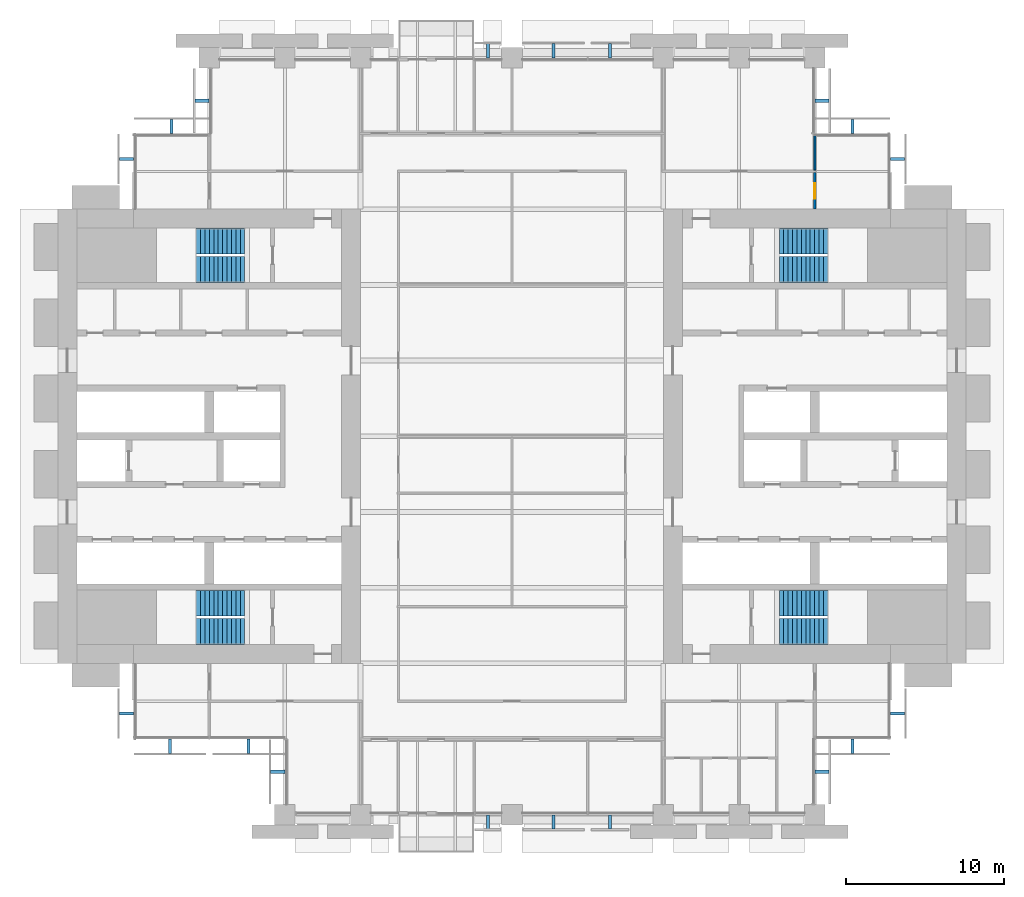
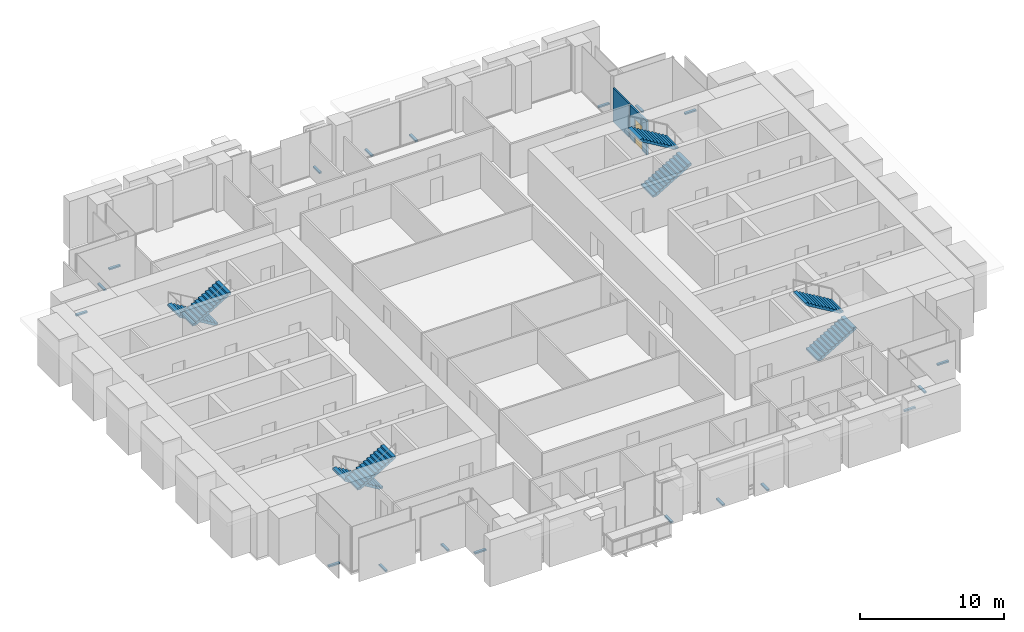
# One storey, part 13 of 15: 19 discrete accessories, 8 stair flights, 2 walls, 1 door, 1 opening, 4 elements without a shape of their own.
"""IFC4 building model written with IfcOpenShell, lengths in metres."""

from ifc_helpers import new_model, si_unit, direction, frame, frame_2d, origin, origin_2d, place, context, subcontext, project, spatial, polyline, rectangle, outline, extrude, material, layer, layer_set, type_object, element, fill, aggregate, save


model = new_model("IFC4")

# Units and contexts
model_context = context("Model", 3, precision=1e-05, world=origin(), true_north=direction((0.0, 1.0)))
body_context = subcontext(model_context, "Body", "Model", "MODEL_VIEW")
ifc_project = project(units=[si_unit("LENGTHUNIT", "METRE"), si_unit("AREAUNIT", "SQUARE_METRE"), si_unit("VOLUMEUNIT", "CUBIC_METRE"), si_unit("PLANEANGLEUNIT", "RADIAN"), si_unit("MASSUNIT", "GRAM", prefix="KILO")], contexts=[model_context])

# Site, building, storey
site_placement = place(None, origin())
site = spatial("IfcSite", under=ifc_project, at=site_placement, CompositionType="ELEMENT")
building_placement = place(site_placement, origin())
building = spatial("IfcBuilding", under=site, at=building_placement, Name="Baori Bourse Tower", CompositionType="ELEMENT")
storey_placement = place(building_placement, frame((0.0, 0.0, 47.0)))
storey = spatial("IfcBuildingStorey", under=building, at=storey_placement, Name="L09", CompositionType="ELEMENT", Elevation=47.0)

# Wall, opening, door
ifc_material_1 = material(Name="Gypsum board partition")
ifc_layer_1 = layer(ifc_material_1, 0.14990234375)
ifc_layer_set_1 = layer_set([ifc_layer_1], Name="Corridor partition 150")
wall_type_1 = type_object("IfcWallType", Name="Corridor partition 150", PredefinedType="PARTITIONING", material=ifc_layer_set_1)
wall_1_placement = place(storey_placement, frame((48.0, 38.39990234375, 0.0), z_axis=(0.0, 0.0, 1.0), x_axis=(0.0, 1.0, 0.0)))
wall_1 = element("IfcWall", 1, at=wall_1_placement, inside=storey, type_object=wall_type_1, Name="Partition", PredefinedType="PARTITIONING", context=body_context, shape_type="SweptSolid", body=[
    extrude(rectangle(XDim=2.3251953125, YDim=0.14990234375, at=frame_2d((1.16259765625, 0.0))), origin(), (0.0, 0.0, 1.0), 2.86962890625),
])
opening_placement = place(wall_1_placement, frame((0.66259765625, 0.0, 0.0)))
opening = element("IfcOpeningElement", 2, at=opening_placement, cuts=wall_1, Name="Opening L09-D28", PredefinedType="OPENING", context=body_context, shape_type="SweptSolid", body=[
    extrude(rectangle(XDim=1.0, YDim=2.10009765625, at=frame_2d((0.5, 1.050048828125))), frame((0.0, 0.0849609375, 0.0), z_axis=(0.0, -1.0, 0.0), x_axis=(1.0, 0.0, 0.0)), (0.0, 0.0, 1.0), 0.169921875),
])
ifc_material_2 = material(Name="Timber door leaf", Category="wood")
door_type = type_object("IfcDoorType", Name="Door 1000 x 2100", OperationType="SINGLE_SWING_LEFT", PredefinedType="DOOR", material=ifc_material_2)
door_placement = place(opening_placement, origin())
door = element("IfcDoor", 3, at=door_placement, inside=storey, type_object=door_type, Name="Door", OperationType="SINGLE_SWING_LEFT", OverallHeight=2.10009765625, OverallWidth=1.0, PredefinedType="DOOR", context=body_context, shape_type="SweptSolid", body=[
    extrude(rectangle(XDim=1.0, YDim=2.10009765625, at=frame_2d((0.5, 1.050048828125))), frame((0.0, 0.02490234375, 0.0), z_axis=(0.0, -1.0, 0.0), x_axis=(1.0, 0.0, 0.0)), (0.0, 0.0, 1.0), 0.050048828125),
])
fill(opening, door)

# Wall
ifc_material_3 = material(Name="Gypsum board partition")
ifc_layer_2 = layer(ifc_material_3, 0.125)
ifc_layer_set_2 = layer_set([ifc_layer_2], Name="Partition 125")
wall_type_2 = type_object("IfcWallType", Name="Partition 125", PredefinedType="PARTITIONING", material=ifc_layer_set_2)
wall_2_placement = place(storey_placement, frame((48.0, 40.875, 0.0), z_axis=(0.0, 0.0, 1.0), x_axis=(0.0, 1.0, 0.0)))
element("IfcWall", 4, at=wall_2_placement, inside=storey, type_object=wall_type_2, Name="Partition", PredefinedType="PARTITIONING", context=body_context, shape_type="SweptSolid", body=[
    extrude(rectangle(XDim=2.22509765625, YDim=0.125, at=frame_2d((1.112548828125, 0.0))), origin(), (0.0, 0.0, 1.0), 2.86962890625),
])

# Stair, stair flights
ifc_material_4 = material(Name="Concrete f'c 50 MPa", Category="concrete")
stair_type = type_object("IfcStairType", Name="Core stair", PredefinedType="HALF_TURN_STAIR", material=ifc_material_4)
stair_1_placement = place(storey_placement, origin())
stair_1 = element("IfcStair", 5, at=stair_1_placement, inside=storey, type_object=stair_type, Name="L09 Stair WA", PredefinedType="HALF_TURN_STAIR")
ifc_material_5 = material(Name="Concrete f'c 50 MPa", Category="concrete")
stair_flight_type = type_object("IfcStairFlightType", Name="Core stair flight", PredefinedType="STRAIGHT", material=ifc_material_5)
stair_flight_1_placement = place(storey_placement, frame((11.85009765625, 13.425048828125, 0.0), z_axis=(0.0, 0.0, 1.0), x_axis=(-1.0, 0.0, 0.0)))
stair_flight_1 = element("IfcStairFlight", 6, at=stair_flight_1_placement, type_object=stair_flight_type, Name="ST1 flight 1", NumberOfRisers=12, NumberOfTreads=11, PredefinedType="STRAIGHT", RiserHeight=0.166666667, TreadLength=0.28, context=body_context, shape_type="SweptSolid", body=[
    extrude(outline(polyline([(0.0, 0.0), (0.0, 0.166748046875), (0.280029296875, 0.166748046875), (0.280029296875, 0.333251953125), (0.56005859375, 0.333251953125), (0.56005859375, 0.5), (0.840087890625, 0.5), (0.840087890625, 0.666748046875), (1.1201171875, 0.666748046875), (1.1201171875, 0.833251953125), (1.39990234375, 0.833251953125), (1.39990234375, 1.0), (1.679931640625, 1.0), (1.679931640625, 1.166748046875), (1.9599609375, 1.166748046875), (1.9599609375, 1.333251953125), (2.239990234375, 1.333251953125), (2.239990234375, 1.5), (2.52001953125, 1.5), (2.52001953125, 1.666748046875), (2.800048828125, 1.666748046875), (2.800048828125, 1.833251953125), (3.080078125, 1.833251953125), (3.080078125, 2.0), (3.080078125, 1.658935546875), (0.29296875, 0.0), (0.0, 0.0)])), frame((0.0, 0.824951171875, 0.0), z_axis=(0.0, -1.0, 0.0), x_axis=(1.0, 0.0, 0.0)), (0.0, 0.0, 1.0), 1.64990234375),
])
stair_flight_2_placement = place(storey_placement, frame((8.77001953125, 11.625, 2.0), z_axis=(0.0, 0.0, 1.0), x_axis=(1.0, 0.0, 0.0)))
stair_flight_2 = element("IfcStairFlight", 7, at=stair_flight_2_placement, type_object=stair_flight_type, Name="ST1 flight 2", NumberOfRisers=12, NumberOfTreads=11, PredefinedType="STRAIGHT", RiserHeight=0.166666667, TreadLength=0.28, context=body_context, shape_type="SweptSolid", body=[
    extrude(outline(polyline([(0.0, 0.0), (0.0, 0.166748046875), (0.280029296875, 0.166748046875), (0.280029296875, 0.333251953125), (0.56005859375, 0.333251953125), (0.56005859375, 0.5), (0.840087890625, 0.5), (0.840087890625, 0.666748046875), (1.1201171875, 0.666748046875), (1.1201171875, 0.833251953125), (1.39990234375, 0.833251953125), (1.39990234375, 1.0), (1.679931640625, 1.0), (1.679931640625, 1.166748046875), (1.9599609375, 1.166748046875), (1.9599609375, 1.333251953125), (2.239990234375, 1.333251953125), (2.239990234375, 1.5), (2.52001953125, 1.5), (2.52001953125, 1.666748046875), (2.800048828125, 1.666748046875), (2.800048828125, 1.833251953125), (3.080078125, 1.833251953125), (3.080078125, 2.0), (3.080078125, 1.658935546875), (0.29296875, 0.0), (0.0, 0.0)])), frame((0.0, 0.824951171875, 0.0), z_axis=(0.0, -1.0, 0.0), x_axis=(1.0, 0.0, 0.0)), (0.0, 0.0, 1.0), 1.64990234375),
])
aggregate(stair_1, [stair_flight_1, stair_flight_2])

stair_2_placement = place(storey_placement, origin())
stair_2 = element("IfcStair", 8, at=stair_2_placement, inside=storey, type_object=stair_type, Name="L09 Stair WB", PredefinedType="HALF_TURN_STAIR")
stair_flight_3_placement = place(storey_placement, frame((11.85009765625, 36.375, 0.0), z_axis=(0.0, 0.0, 1.0), x_axis=(-1.0, 0.0, 0.0)))
stair_flight_3 = element("IfcStairFlight", 9, at=stair_flight_3_placement, type_object=stair_flight_type, Name="ST2 flight 1", NumberOfRisers=12, NumberOfTreads=11, PredefinedType="STRAIGHT", RiserHeight=0.166666667, TreadLength=0.28, context=body_context, shape_type="SweptSolid", body=[
    extrude(outline(polyline([(0.0, 0.0), (0.0, 0.166748046875), (0.280029296875, 0.166748046875), (0.280029296875, 0.333251953125), (0.56005859375, 0.333251953125), (0.56005859375, 0.5), (0.840087890625, 0.5), (0.840087890625, 0.666748046875), (1.1201171875, 0.666748046875), (1.1201171875, 0.833251953125), (1.39990234375, 0.833251953125), (1.39990234375, 1.0), (1.679931640625, 1.0), (1.679931640625, 1.166748046875), (1.9599609375, 1.166748046875), (1.9599609375, 1.333251953125), (2.239990234375, 1.333251953125), (2.239990234375, 1.5), (2.52001953125, 1.5), (2.52001953125, 1.666748046875), (2.800048828125, 1.666748046875), (2.800048828125, 1.833251953125), (3.080078125, 1.833251953125), (3.080078125, 2.0), (3.080078125, 1.658935546875), (0.29296875, 0.0), (0.0, 0.0)])), frame((0.0, 0.824951171875, 0.0), z_axis=(0.0, -1.0, 0.0), x_axis=(1.0, 0.0, 0.0)), (0.0, 0.0, 1.0), 1.64990234375),
])
stair_flight_4_placement = place(storey_placement, frame((8.77001953125, 34.574951171875, 2.0), z_axis=(0.0, 0.0, 1.0), x_axis=(1.0, 0.0, 0.0)))
stair_flight_4 = element("IfcStairFlight", 10, at=stair_flight_4_placement, type_object=stair_flight_type, Name="ST2 flight 2", NumberOfRisers=12, NumberOfTreads=11, PredefinedType="STRAIGHT", RiserHeight=0.166666667, TreadLength=0.28, context=body_context, shape_type="SweptSolid", body=[
    extrude(outline(polyline([(0.0, 0.0), (0.0, 0.166748046875), (0.280029296875, 0.166748046875), (0.280029296875, 0.333251953125), (0.56005859375, 0.333251953125), (0.56005859375, 0.5), (0.840087890625, 0.5), (0.840087890625, 0.666748046875), (1.1201171875, 0.666748046875), (1.1201171875, 0.833251953125), (1.39990234375, 0.833251953125), (1.39990234375, 1.0), (1.679931640625, 1.0), (1.679931640625, 1.166748046875), (1.9599609375, 1.166748046875), (1.9599609375, 1.333251953125), (2.239990234375, 1.333251953125), (2.239990234375, 1.5), (2.52001953125, 1.5), (2.52001953125, 1.666748046875), (2.800048828125, 1.666748046875), (2.800048828125, 1.833251953125), (3.080078125, 1.833251953125), (3.080078125, 2.0), (3.080078125, 1.658935546875), (0.29296875, 0.0), (0.0, 0.0)])), frame((0.0, 0.824951171875, 0.0), z_axis=(0.0, -1.0, 0.0), x_axis=(1.0, 0.0, 0.0)), (0.0, 0.0, 1.0), 1.64990234375),
])
aggregate(stair_2, [stair_flight_3, stair_flight_4])

stair_3_placement = place(storey_placement, origin())
stair_3 = element("IfcStair", 11, at=stair_3_placement, inside=storey, type_object=stair_type, Name="L09 Stair EA", PredefinedType="HALF_TURN_STAIR")
stair_flight_5_placement = place(storey_placement, frame((45.75, 11.625, 0.0), z_axis=(0.0, 0.0, 1.0), x_axis=(1.0, 0.0, 0.0)))
stair_flight_5 = element("IfcStairFlight", 12, at=stair_flight_5_placement, type_object=stair_flight_type, Name="ST3 flight 1", NumberOfRisers=12, NumberOfTreads=11, PredefinedType="STRAIGHT", RiserHeight=0.166666667, TreadLength=0.28, context=body_context, shape_type="SweptSolid", body=[
    extrude(outline(polyline([(0.0, 0.0), (0.0, 0.166748046875), (0.280029296875, 0.166748046875), (0.280029296875, 0.333251953125), (0.56005859375, 0.333251953125), (0.56005859375, 0.5), (0.840087890625, 0.5), (0.840087890625, 0.666748046875), (1.1201171875, 0.666748046875), (1.1201171875, 0.833251953125), (1.39990234375, 0.833251953125), (1.39990234375, 1.0), (1.679931640625, 1.0), (1.679931640625, 1.166748046875), (1.9599609375, 1.166748046875), (1.9599609375, 1.333251953125), (2.239990234375, 1.333251953125), (2.239990234375, 1.5), (2.52001953125, 1.5), (2.52001953125, 1.666748046875), (2.800048828125, 1.666748046875), (2.800048828125, 1.833251953125), (3.080078125, 1.833251953125), (3.080078125, 2.0), (3.080078125, 1.658935546875), (0.29296875, 0.0), (0.0, 0.0)])), frame((0.0, 0.824951171875, 0.0), z_axis=(0.0, -1.0, 0.0), x_axis=(1.0, 0.0, 0.0)), (0.0, 0.0, 1.0), 1.64990234375),
])
stair_flight_6_placement = place(storey_placement, frame((48.830078125, 13.425048828125, 2.0), z_axis=(0.0, 0.0, 1.0), x_axis=(-1.0, 0.0, 0.0)))
stair_flight_6 = element("IfcStairFlight", 13, at=stair_flight_6_placement, type_object=stair_flight_type, Name="ST3 flight 2", NumberOfRisers=12, NumberOfTreads=11, PredefinedType="STRAIGHT", RiserHeight=0.166666667, TreadLength=0.28, context=body_context, shape_type="SweptSolid", body=[
    extrude(outline(polyline([(0.0, 0.0), (0.0, 0.166748046875), (0.280029296875, 0.166748046875), (0.280029296875, 0.333251953125), (0.56005859375, 0.333251953125), (0.56005859375, 0.5), (0.840087890625, 0.5), (0.840087890625, 0.666748046875), (1.1201171875, 0.666748046875), (1.1201171875, 0.833251953125), (1.39990234375, 0.833251953125), (1.39990234375, 1.0), (1.679931640625, 1.0), (1.679931640625, 1.166748046875), (1.9599609375, 1.166748046875), (1.9599609375, 1.333251953125), (2.239990234375, 1.333251953125), (2.239990234375, 1.5), (2.52001953125, 1.5), (2.52001953125, 1.666748046875), (2.800048828125, 1.666748046875), (2.800048828125, 1.833251953125), (3.080078125, 1.833251953125), (3.080078125, 2.0), (3.080078125, 1.658935546875), (0.29296875, 0.0), (0.0, 0.0)])), frame((0.0, 0.824951171875, 0.0), z_axis=(0.0, -1.0, 0.0), x_axis=(1.0, 0.0, 0.0)), (0.0, 0.0, 1.0), 1.64990234375),
])
aggregate(stair_3, [stair_flight_5, stair_flight_6])

stair_4_placement = place(storey_placement, origin())
stair_4 = element("IfcStair", 14, at=stair_4_placement, inside=storey, type_object=stair_type, Name="L09 Stair EB", PredefinedType="HALF_TURN_STAIR")
stair_flight_7_placement = place(storey_placement, frame((45.75, 34.574951171875, 0.0), z_axis=(0.0, 0.0, 1.0), x_axis=(1.0, 0.0, 0.0)))
stair_flight_7 = element("IfcStairFlight", 15, at=stair_flight_7_placement, type_object=stair_flight_type, Name="ST4 flight 1", NumberOfRisers=12, NumberOfTreads=11, PredefinedType="STRAIGHT", RiserHeight=0.166666667, TreadLength=0.28, context=body_context, shape_type="SweptSolid", body=[
    extrude(outline(polyline([(0.0, 0.0), (0.0, 0.166748046875), (0.280029296875, 0.166748046875), (0.280029296875, 0.333251953125), (0.56005859375, 0.333251953125), (0.56005859375, 0.5), (0.840087890625, 0.5), (0.840087890625, 0.666748046875), (1.1201171875, 0.666748046875), (1.1201171875, 0.833251953125), (1.39990234375, 0.833251953125), (1.39990234375, 1.0), (1.679931640625, 1.0), (1.679931640625, 1.166748046875), (1.9599609375, 1.166748046875), (1.9599609375, 1.333251953125), (2.239990234375, 1.333251953125), (2.239990234375, 1.5), (2.52001953125, 1.5), (2.52001953125, 1.666748046875), (2.800048828125, 1.666748046875), (2.800048828125, 1.833251953125), (3.080078125, 1.833251953125), (3.080078125, 2.0), (3.080078125, 1.658935546875), (0.29296875, 0.0), (0.0, 0.0)])), frame((0.0, 0.824951171875, 0.0), z_axis=(0.0, -1.0, 0.0), x_axis=(1.0, 0.0, 0.0)), (0.0, 0.0, 1.0), 1.64990234375),
])
stair_flight_8_placement = place(storey_placement, frame((48.830078125, 36.375, 2.0), z_axis=(0.0, 0.0, 1.0), x_axis=(-1.0, 0.0, 0.0)))
stair_flight_8 = element("IfcStairFlight", 16, at=stair_flight_8_placement, type_object=stair_flight_type, Name="ST4 flight 2", NumberOfRisers=12, NumberOfTreads=11, PredefinedType="STRAIGHT", RiserHeight=0.166666667, TreadLength=0.28, context=body_context, shape_type="SweptSolid", body=[
    extrude(outline(polyline([(0.0, 0.0), (0.0, 0.166748046875), (0.280029296875, 0.166748046875), (0.280029296875, 0.333251953125), (0.56005859375, 0.333251953125), (0.56005859375, 0.5), (0.840087890625, 0.5), (0.840087890625, 0.666748046875), (1.1201171875, 0.666748046875), (1.1201171875, 0.833251953125), (1.39990234375, 0.833251953125), (1.39990234375, 1.0), (1.679931640625, 1.0), (1.679931640625, 1.166748046875), (1.9599609375, 1.166748046875), (1.9599609375, 1.333251953125), (2.239990234375, 1.333251953125), (2.239990234375, 1.5), (2.52001953125, 1.5), (2.52001953125, 1.666748046875), (2.800048828125, 1.666748046875), (2.800048828125, 1.833251953125), (3.080078125, 1.833251953125), (3.080078125, 2.0), (3.080078125, 1.658935546875), (0.29296875, 0.0), (0.0, 0.0)])), frame((0.0, 0.824951171875, 0.0), z_axis=(0.0, -1.0, 0.0), x_axis=(1.0, 0.0, 0.0)), (0.0, 0.0, 1.0), 1.64990234375),
])
aggregate(stair_4, [stair_flight_7, stair_flight_8])

# Discrete accessories
ifc_material_6 = material(Name="Pale anodised aluminium", Category="aluminium")
discrete_accessory_type = type_object("IfcDiscreteAccessoryType", Name="OS2 Outer skin bracket", PredefinedType="BRACKET", material=ifc_material_6)
for number, where, z_axis, x_axis, name in (
    (17, (53.25, 41.574951171875, -0.14404296875), (0.0, 0.0, 1.0), (0.0, 1.0, 0.0), "Outer skin bracket L09 1"),
    (18, (50.39990234375, 43.64990234375, -0.14404296875), (0.0, 0.0, 1.0), (-1.0, 0.0, 0.0), "Outer skin bracket L09 2"),
    (19, (48.449951171875, 45.27490234375, -0.14404296875), (0.0, 0.0, 1.0), (0.0, 1.0, 0.0), "Outer skin bracket L09 3"),
    (20, (35.012451171875, 48.449951171875, -0.14404296875), (0.0, 0.0, 1.0), (-1.0, 0.0, 0.0), "Outer skin bracket L09 4"),
    (21, (31.4375, 48.449951171875, -0.14404296875), (0.0, 0.0, 1.0), (-1.0, 0.0, 0.0), "Outer skin bracket L09 5"),
    (22, (27.27490234375, 48.449951171875, -0.14404296875), (0.0, 0.0, 1.0), (-1.0, 0.0, 0.0), "Outer skin bracket L09 6"),
    (23, (9.14990234375, 45.27490234375, -0.14404296875), (0.0, 0.0, 1.0), (0.0, -1.0, 0.0), "Outer skin bracket L09 7"),
    (24, (7.199951171875, 43.64990234375, -0.14404296875), (0.0, 0.0, 1.0), (-1.0, 0.0, 0.0), "Outer skin bracket L09 8"),
    (25, (4.35009765625, 41.574951171875, -0.14404296875), (0.0, 0.0, 1.0), (0.0, -1.0, 0.0), "Outer skin bracket L09 9"),
    (26, (4.35009765625, 6.425048828125, -0.14404296875), (0.0, 0.0, 1.0), (0.0, -1.0, 0.0), "Outer skin bracket L09 10"),
    (27, (7.112548828125, 4.35009765625, -0.14404296875), (0.0, 0.0, 1.0), (1.0, 0.0, 0.0), "Outer skin bracket L09 11"),
    (28, (12.08740234375, 4.35009765625, -0.14404296875), (0.0, 0.0, 1.0), (1.0, 0.0, 0.0), "Outer skin bracket L09 12"),
    (29, (13.949951171875, 2.72509765625, -0.14404296875), (0.0, 0.0, 1.0), (0.0, -1.0, 0.0), "Outer skin bracket L09 13"),
    (30, (27.27490234375, -0.449951171875, -0.14404296875), (0.0, 0.0, 1.0), (1.0, 0.0, 0.0), "Outer skin bracket L09 14"),
    (31, (31.4375, -0.449951171875, -0.14404296875), (0.0, 0.0, 1.0), (1.0, 0.0, 0.0), "Outer skin bracket L09 15"),
    (32, (35.012451171875, -0.449951171875, -0.14404296875), (0.0, 0.0, 1.0), (1.0, 0.0, 0.0), "Outer skin bracket L09 16"),
    (33, (48.449951171875, 2.72509765625, -0.14404296875), (0.0, 0.0, 1.0), (0.0, 1.0, 0.0), "Outer skin bracket L09 17"),
    (34, (50.39990234375, 4.35009765625, -0.14404296875), (0.0, 0.0, 1.0), (1.0, 0.0, 0.0), "Outer skin bracket L09 18"),
    (35, (53.25, 6.425048828125, -0.14404296875), (0.0, 0.0, 1.0), (0.0, 1.0, 0.0), "Outer skin bracket L09 19"),
):
    element("IfcDiscreteAccessory", number, at=place(storey_placement, frame(where, z_axis=z_axis, x_axis=x_axis)), inside=storey, type_object=discrete_accessory_type, Name=name, PredefinedType="BRACKET", context=body_context, shape_type="SweptSolid", body=[
        extrude(rectangle(XDim=0.199951171875, YDim=0.89990234375, at=origin_2d()), origin(), (0.0, 0.0, 1.0), 0.1279296875),
    ])

save(model, "model.ifc")
